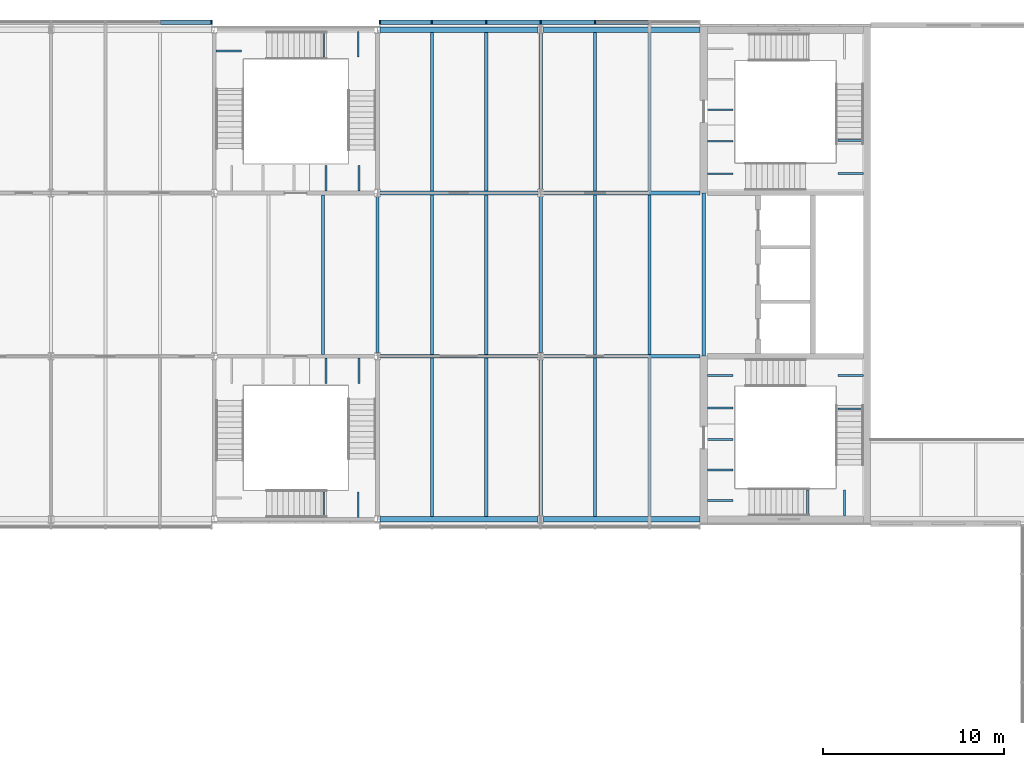
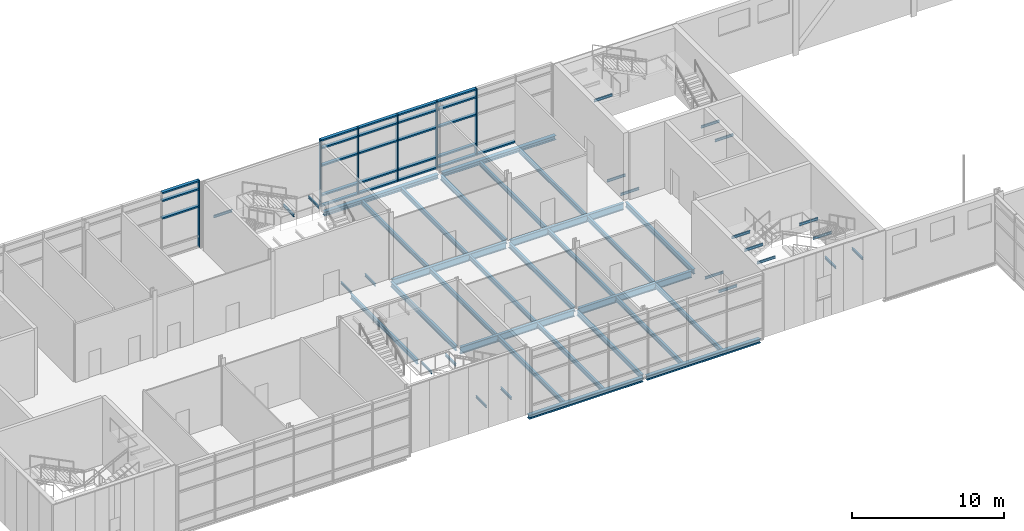
# One storey, part 15 of 56: 49 beams, 30 members, 2 elements without a shape of their own.
"""IFC4 building model written with IfcOpenShell, lengths in metres."""

from ifc_helpers import new_model, si_unit, direction, frame, origin, origin_2d, place, context, subcontext, project, spatial, rectangle, i_section, extrude, material, material_profile, profile_set, type_object, element, aggregate, save


model = new_model("IFC4")

# Units and contexts
model_context = context("Model", 3, precision=1e-05, world=origin(), true_north=direction((0.0, 1.0)))
body_context = subcontext(model_context, "Body", "Model", "MODEL_VIEW")
ifc_project = project(units=[si_unit("LENGTHUNIT", "METRE"), si_unit("AREAUNIT", "SQUARE_METRE"), si_unit("VOLUMEUNIT", "CUBIC_METRE"), si_unit("PLANEANGLEUNIT", "RADIAN"), si_unit("MASSUNIT", "GRAM", prefix="KILO")], contexts=[model_context])

# Site, building, storey
site_placement = place(None, origin())
site = spatial("IfcSite", under=ifc_project, at=site_placement, CompositionType="ELEMENT")
building_placement = place(site_placement, origin())
building = spatial("IfcBuilding", under=site, at=building_placement, Name="Azimuth Sports and Learning Centre", CompositionType="ELEMENT")
storey_placement = place(building_placement, frame((0.0, 0.0, 5.39990234375)))
storey = spatial("IfcBuildingStorey", under=building, at=storey_placement, Name="L01", CompositionType="ELEMENT", Elevation=5.39990234375)

# Beams
ifc_material_1 = material(Name="Steel S355", Category="steel")
ifc_material_profile_1 = material_profile(ifc_material_1, i_section(OverallWidth=0.10009765625, OverallDepth=0.199951171875, WebThickness=0.005615234375, FlangeThickness=0.008544921875, FilletRadius=0.011962890625, at=origin_2d()), Name="IPE 200")
ifc_profile_set_1 = profile_set([ifc_material_profile_1], Name="Steel S355")
beam_type_1 = type_object("IfcBeamType", Name="Beam IPE 200", PredefinedType="BEAM", material=ifc_profile_set_1)
for number, where, z_axis, x_axis, name in (
    (1, (54.199951171875, 96.1474609375, -0.2998046875), (1.0, 0.0, 0.0), (0.0, 1.0, 0.0), "Landing bracket W1 L01 8"),
    (2, (54.199951171875, 97.9423828125, -0.2998046875), (1.0, 0.0, 0.0), (0.0, 1.0, 0.0), "Landing bracket W1 L01 9"),
    (3, (62.800048828125, 96.1025390625, 1.5), (-1.0, 0.0, 0.0), (0.0, -1.0, 0.0), "Landing bracket W1 L01 10"),
    (4, (62.800048828125, 97.927490234375, 1.5), (-1.0, 0.0, 0.0), (0.0, -1.0, 0.0), "Landing bracket W1 L01 11"),
    (5, (59.715087890625, 90.199951171875, 3.300048828125), (0.0, 1.0, 0.0), (-1.0, 0.0, 0.0), "Landing bracket W1 L01 12"),
    (6, (61.764892578125, 90.199951171875, 3.300048828125), (0.0, 1.0, 0.0), (-1.0, 0.0, 0.0), "Landing bracket W1 L01 13"),
    (7, (54.199951171875, 91.050048828125, 5.10009765625), (1.0, 0.0, 0.0), (0.0, 1.0, 0.0), "Landing bracket W1 L01 14"),
    (8, (54.199951171875, 92.72998046875, 5.10009765625), (1.0, 0.0, 0.0), (0.0, 1.0, 0.0), "Landing bracket W1 L01 15"),
    (9, (54.199951171875, 94.409912109375, 5.10009765625), (1.0, 0.0, 0.0), (0.0, 1.0, 0.0), "Landing bracket W1 L01 16"),
    (10, (54.199951171875, 109.0576171875, -0.2998046875), (1.0, 0.0, 0.0), (0.0, 1.0, 0.0), "Landing bracket W2 L01 186"),
    (11, (54.199951171875, 110.8525390625, -0.2998046875), (1.0, 0.0, 0.0), (0.0, 1.0, 0.0), "Landing bracket W2 L01 187"),
    (12, (62.800048828125, 109.072509765625, 1.5), (-1.0, 0.0, 0.0), (0.0, -1.0, 0.0), "Landing bracket W2 L01 188"),
    (13, (62.800048828125, 110.8974609375, 1.5), (-1.0, 0.0, 0.0), (0.0, -1.0, 0.0), "Landing bracket W2 L01 189"),
    (14, (54.199951171875, 112.590087890625, 5.10009765625), (1.0, 0.0, 0.0), (0.0, 1.0, 0.0), "Landing bracket W2 L01 192"),
):
    element("IfcBeam", number, at=place(storey_placement, frame(where, z_axis=z_axis, x_axis=x_axis)), inside=storey, type_object=beam_type_1, Name=name, PredefinedType="BEAM", context=body_context, shape_type="SweptSolid", body=[
        extrude(i_section(OverallWidth=0.10009765625, OverallDepth=0.199951171875, WebThickness=0.005615234375, FlangeThickness=0.008544921875, FilletRadius=0.011962890625, at=origin_2d()), origin(), (0.0, 0.0, 1.0), 1.41015625),
    ])
for number, where, z_axis, x_axis, name in (
    (15, (33.159912109375, 98.89990234375, -0.2998046875), (0.0, -1.0, 0.0), (1.0, 0.0, 0.0), "Landing bracket WM1 L01 856"),
    (16, (34.97998046875, 98.89990234375, -0.2998046875), (0.0, -1.0, 0.0), (1.0, 0.0, 0.0), "Landing bracket WM1 L01 857"),
    (17, (33.0400390625, 90.10009765625, 1.5), (0.0, 1.0, 0.0), (-1.0, 0.0, 0.0), "Landing bracket WM1 L01 858"),
    (18, (34.93994140625, 90.10009765625, 1.5), (0.0, 1.0, 0.0), (-1.0, 0.0, 0.0), "Landing bracket WM1 L01 859"),
    (19, (33.159912109375, 108.10009765625, -0.2998046875), (0.0, 1.0, 0.0), (-1.0, 0.0, 0.0), "Landing bracket WM2 L01 890"),
    (20, (34.97998046875, 108.10009765625, -0.2998046875), (0.0, 1.0, 0.0), (-1.0, 0.0, 0.0), "Landing bracket WM2 L01 891"),
    (21, (33.0400390625, 116.89990234375, 1.5), (0.0, -1.0, 0.0), (1.0, 0.0, 0.0), "Landing bracket WM2 L01 892"),
    (22, (34.93994140625, 116.89990234375, 1.5), (0.0, -1.0, 0.0), (1.0, 0.0, 0.0), "Landing bracket WM2 L01 893"),
    (23, (27.10009765625, 115.827392578125, 3.300048828125), (1.0, 0.0, 0.0), (0.0, 1.0, 0.0), "Landing bracket WM2 L01 895"),
):
    element("IfcBeam", number, at=place(storey_placement, frame(where, z_axis=z_axis, x_axis=x_axis)), inside=storey, type_object=beam_type_1, Name=name, PredefinedType="BEAM", context=body_context, shape_type="SweptSolid", body=[
        extrude(i_section(OverallWidth=0.10009765625, OverallDepth=0.199951171875, WebThickness=0.005615234375, FlangeThickness=0.008544921875, FilletRadius=0.011962890625, at=origin_2d()), origin(), (0.0, 0.0, 1.0), 1.409912109375),
    ])
ifc_material_2 = material(Name="Steel S355", Category="steel")
ifc_material_profile_2 = material_profile(ifc_material_2, i_section(OverallWidth=0.179931640625, OverallDepth=0.39990234375, WebThickness=0.008544921875, FlangeThickness=0.013427734375, FilletRadius=0.02099609375, at=origin_2d()), Name="IPE 400")
ifc_profile_set_2 = profile_set([ifc_material_profile_2], Name="Steel S355")
beam_type_2 = type_object("IfcBeamType", Name="Beam IPE 400", PredefinedType="BEAM", material=ifc_profile_set_2)
for number, where, z_axis, x_axis, name in (
    (24, (36.0, 99.199951171875, -0.349853515625), (0.0, 1.0, 0.0), (-1.0, 0.0, 0.0), "Beam L01 WW 22"),
    (25, (45.0, 90.199951171875, -0.349853515625), (0.0, 1.0, 0.0), (-1.0, 0.0, 0.0), "Beam L01 WW 23"),
    (26, (45.0, 99.199951171875, -0.349853515625), (0.0, 1.0, 0.0), (-1.0, 0.0, 0.0), "Beam L01 WW 24"),
    (27, (45.0, 108.199951171875, -0.349853515625), (0.0, 1.0, 0.0), (-1.0, 0.0, 0.0), "Beam L01 WW 25"),
):
    element("IfcBeam", number, at=place(storey_placement, frame(where, z_axis=z_axis, x_axis=x_axis)), inside=storey, type_object=beam_type_2, Name=name, PredefinedType="BEAM", context=body_context, shape_type="SweptSolid", body=[
        extrude(i_section(OverallWidth=0.179931640625, OverallDepth=0.39990234375, WebThickness=0.008544921875, FlangeThickness=0.013427734375, FilletRadius=0.02099609375, at=origin_2d()), origin(), (0.0, 0.0, 1.0), 8.60009765625),
    ])
beam_1_placement = place(storey_placement, frame((54.0, 99.0, -0.349853515625), z_axis=(0.0, 1.0, 0.0), x_axis=(-1.0, 0.0, 0.0)))
element("IfcBeam", 28, at=beam_1_placement, inside=storey, type_object=beam_type_2, Name="Beam L01 WW 26", PredefinedType="BEAM", context=body_context, shape_type="SweptSolid", body=[
    extrude(i_section(OverallWidth=0.179931640625, OverallDepth=0.39990234375, WebThickness=0.008544921875, FlangeThickness=0.013427734375, FilletRadius=0.02099609375, at=origin_2d()), origin(), (0.0, 0.0, 1.0), 9.0),
])
ifc_material_3 = material(Name="Steel S355", Category="steel")
ifc_material_profile_3 = material_profile(ifc_material_3, i_section(OverallWidth=0.2099609375, OverallDepth=0.550048828125, WebThickness=0.010986328125, FlangeThickness=0.01708984375, FilletRadius=0.02392578125, at=origin_2d()), Name="IPE 550")
ifc_profile_set_3 = profile_set([ifc_material_profile_3], Name="Steel S355")
beam_type_3 = type_object("IfcBeamType", Name="Beam IPE 550", PredefinedType="BEAM", material=ifc_profile_set_3)
beam_2_placement = place(storey_placement, frame((36.14990234375, 99.0, -0.4248046875), z_axis=(1.0, 0.0, 0.0), x_axis=(0.0, 1.0, 0.0)))
element("IfcBeam", 29, at=beam_2_placement, inside=storey, type_object=beam_type_3, Name="Beam L01 WW 7", PredefinedType="BEAM", context=body_context, shape_type="SweptSolid", body=[
    extrude(i_section(OverallWidth=0.2099609375, OverallDepth=0.550048828125, WebThickness=0.010986328125, FlangeThickness=0.01708984375, FilletRadius=0.02392578125, at=origin_2d()), origin(), (0.0, 0.0, 1.0), 8.7001953125),
])
beam_3_placement = place(storey_placement, frame((45.14990234375, 99.0, -0.4248046875), z_axis=(1.0, 0.0, 0.0), x_axis=(0.0, 1.0, 0.0)))
element("IfcBeam", 30, at=beam_3_placement, inside=storey, type_object=beam_type_3, Name="Beam L01 WW 8", PredefinedType="BEAM", context=body_context, shape_type="SweptSolid", body=[
    extrude(i_section(OverallWidth=0.2099609375, OverallDepth=0.550048828125, WebThickness=0.010986328125, FlangeThickness=0.01708984375, FilletRadius=0.02392578125, at=origin_2d()), origin(), (0.0, 0.0, 1.0), 8.650146484375),
])
beam_4_placement = place(storey_placement, frame((36.14990234375, 108.0, -0.4248046875), z_axis=(1.0, 0.0, 0.0), x_axis=(0.0, 1.0, 0.0)))
element("IfcBeam", 31, at=beam_4_placement, inside=storey, type_object=beam_type_3, Name="Beam L01 WW 11", PredefinedType="BEAM", context=body_context, shape_type="SweptSolid", body=[
    extrude(i_section(OverallWidth=0.2099609375, OverallDepth=0.550048828125, WebThickness=0.010986328125, FlangeThickness=0.01708984375, FilletRadius=0.02392578125, at=origin_2d()), origin(), (0.0, 0.0, 1.0), 8.7001953125),
])
beam_5_placement = place(storey_placement, frame((45.14990234375, 108.0, -0.4248046875), z_axis=(1.0, 0.0, 0.0), x_axis=(0.0, 1.0, 0.0)))
element("IfcBeam", 32, at=beam_5_placement, inside=storey, type_object=beam_type_3, Name="Beam L01 WW 12", PredefinedType="BEAM", context=body_context, shape_type="SweptSolid", body=[
    extrude(i_section(OverallWidth=0.2099609375, OverallDepth=0.550048828125, WebThickness=0.010986328125, FlangeThickness=0.01708984375, FilletRadius=0.02392578125, at=origin_2d()), origin(), (0.0, 0.0, 1.0), 8.650146484375),
])
ifc_material_4 = material(Name="Steel S355", Category="steel")
ifc_material_profile_4 = material_profile(ifc_material_4, i_section(OverallWidth=0.300048828125, OverallDepth=0.330078125, WebThickness=0.009521484375, FlangeThickness=0.0166015625, FilletRadius=0.027099609375, at=origin_2d()), Name="HEA 340")
ifc_profile_set_4 = profile_set([ifc_material_profile_4], Name="Steel S355")
beam_type_4 = type_object("IfcBeamType", Name="Edge beam HEA 340", PredefinedType="SPANDREL", material=ifc_profile_set_4)
beam_6_placement = place(storey_placement, frame((36.14990234375, 90.0, -0.31494140625), z_axis=(1.0, 0.0, 0.0), x_axis=(0.0, 1.0, 0.0)))
element("IfcBeam", 33, at=beam_6_placement, inside=storey, type_object=beam_type_4, Name="Edge beam L01 WW 3", PredefinedType="SPANDREL", context=body_context, shape_type="SweptSolid", body=[
    extrude(i_section(OverallWidth=0.300048828125, OverallDepth=0.330078125, WebThickness=0.009521484375, FlangeThickness=0.0166015625, FilletRadius=0.027099609375, at=origin_2d()), origin(), (0.0, 0.0, 1.0), 8.7001953125),
])
beam_7_placement = place(storey_placement, frame((45.14990234375, 90.0, -0.31494140625), z_axis=(1.0, 0.0, 0.0), x_axis=(0.0, 1.0, 0.0)))
element("IfcBeam", 34, at=beam_7_placement, inside=storey, type_object=beam_type_4, Name="Edge beam L01 WW 4", PredefinedType="SPANDREL", context=body_context, shape_type="SweptSolid", body=[
    extrude(i_section(OverallWidth=0.300048828125, OverallDepth=0.330078125, WebThickness=0.009521484375, FlangeThickness=0.0166015625, FilletRadius=0.027099609375, at=origin_2d()), origin(), (0.0, 0.0, 1.0), 8.650146484375),
])
beam_8_placement = place(storey_placement, frame((36.14990234375, 117.0, -0.31494140625), z_axis=(1.0, 0.0, 0.0), x_axis=(0.0, 1.0, 0.0)))
element("IfcBeam", 35, at=beam_8_placement, inside=storey, type_object=beam_type_4, Name="Edge beam L01 WW 15", PredefinedType="SPANDREL", context=body_context, shape_type="SweptSolid", body=[
    extrude(i_section(OverallWidth=0.300048828125, OverallDepth=0.330078125, WebThickness=0.009521484375, FlangeThickness=0.0166015625, FilletRadius=0.027099609375, at=origin_2d()), origin(), (0.0, 0.0, 1.0), 8.7001953125),
])
beam_9_placement = place(storey_placement, frame((45.14990234375, 117.0, -0.31494140625), z_axis=(1.0, 0.0, 0.0), x_axis=(0.0, 1.0, 0.0)))
element("IfcBeam", 36, at=beam_9_placement, inside=storey, type_object=beam_type_4, Name="Edge beam L01 WW 16", PredefinedType="SPANDREL", context=body_context, shape_type="SweptSolid", body=[
    extrude(i_section(OverallWidth=0.300048828125, OverallDepth=0.330078125, WebThickness=0.009521484375, FlangeThickness=0.0166015625, FilletRadius=0.027099609375, at=origin_2d()), origin(), (0.0, 0.0, 1.0), 8.650146484375),
])
ifc_material_5 = material(Name="Steel S355", Category="steel")
ifc_material_profile_5 = material_profile(ifc_material_5, i_section(OverallWidth=0.169921875, OverallDepth=0.360107421875, WebThickness=0.008056640625, FlangeThickness=0.0126953125, FilletRadius=0.01806640625, at=origin_2d()), Name="IPE 360")
ifc_profile_set_5 = profile_set([ifc_material_profile_5], Name="Steel S355")
beam_type_5 = type_object("IfcBeamType", Name="Joist IPE 360", PredefinedType="JOIST", material=ifc_profile_set_5)
beam_10_placement = place(storey_placement, frame((33.0, 99.10009765625, -0.329833984375), z_axis=(0.0, 1.0, 0.0), x_axis=(-1.0, 0.0, 0.0)))
element("IfcBeam", 37, at=beam_10_placement, inside=storey, type_object=beam_type_5, Name="Joist L01 WW 41", PredefinedType="JOIST", context=body_context, shape_type="SweptSolid", body=[
    extrude(i_section(OverallWidth=0.169921875, OverallDepth=0.360107421875, WebThickness=0.008056640625, FlangeThickness=0.0126953125, FilletRadius=0.01806640625, at=origin_2d()), origin(), (0.0, 0.0, 1.0), 8.7998046875),
])
beam_11_placement = place(storey_placement, frame((39.0, 90.14990234375, -0.329833984375), z_axis=(0.0, 1.0, 0.0), x_axis=(-1.0, 0.0, 0.0)))
element("IfcBeam", 38, at=beam_11_placement, inside=storey, type_object=beam_type_5, Name="Joist L01 WW 42", PredefinedType="JOIST", context=body_context, shape_type="SweptSolid", body=[
    extrude(i_section(OverallWidth=0.169921875, OverallDepth=0.360107421875, WebThickness=0.008056640625, FlangeThickness=0.0126953125, FilletRadius=0.01806640625, at=origin_2d()), origin(), (0.0, 0.0, 1.0), 8.7451171875),
])
beam_12_placement = place(storey_placement, frame((39.0, 99.10498046875, -0.329833984375), z_axis=(0.0, 1.0, 0.0), x_axis=(-1.0, 0.0, 0.0)))
element("IfcBeam", 39, at=beam_12_placement, inside=storey, type_object=beam_type_5, Name="Joist L01 WW 43", PredefinedType="JOIST", context=body_context, shape_type="SweptSolid", body=[
    extrude(i_section(OverallWidth=0.169921875, OverallDepth=0.360107421875, WebThickness=0.008056640625, FlangeThickness=0.0126953125, FilletRadius=0.01806640625, at=origin_2d()), origin(), (0.0, 0.0, 1.0), 8.7900390625),
])
for number, where, z_axis, x_axis, name in (
    (40, (39.0, 108.10498046875, -0.329833984375), (0.0, 1.0, 0.0), (-1.0, 0.0, 0.0), "Joist L01 WW 44"),
    (41, (42.0, 90.14990234375, -0.329833984375), (0.0, 1.0, 0.0), (-1.0, 0.0, 0.0), "Joist L01 WW 45"),
):
    element("IfcBeam", number, at=place(storey_placement, frame(where, z_axis=z_axis, x_axis=x_axis)), inside=storey, type_object=beam_type_5, Name=name, PredefinedType="JOIST", context=body_context, shape_type="SweptSolid", body=[
        extrude(i_section(OverallWidth=0.169921875, OverallDepth=0.360107421875, WebThickness=0.008056640625, FlangeThickness=0.0126953125, FilletRadius=0.01806640625, at=origin_2d()), origin(), (0.0, 0.0, 1.0), 8.7451171875),
    ])
beam_13_placement = place(storey_placement, frame((42.0, 99.10498046875, -0.329833984375), z_axis=(0.0, 1.0, 0.0), x_axis=(-1.0, 0.0, 0.0)))
element("IfcBeam", 42, at=beam_13_placement, inside=storey, type_object=beam_type_5, Name="Joist L01 WW 46", PredefinedType="JOIST", context=body_context, shape_type="SweptSolid", body=[
    extrude(i_section(OverallWidth=0.169921875, OverallDepth=0.360107421875, WebThickness=0.008056640625, FlangeThickness=0.0126953125, FilletRadius=0.01806640625, at=origin_2d()), origin(), (0.0, 0.0, 1.0), 8.7900390625),
])
for number, where, z_axis, x_axis, name in (
    (43, (42.0, 108.10498046875, -0.329833984375), (0.0, 1.0, 0.0), (-1.0, 0.0, 0.0), "Joist L01 WW 47"),
    (44, (48.0, 90.14990234375, -0.329833984375), (0.0, 1.0, 0.0), (-1.0, 0.0, 0.0), "Joist L01 WW 48"),
):
    element("IfcBeam", number, at=place(storey_placement, frame(where, z_axis=z_axis, x_axis=x_axis)), inside=storey, type_object=beam_type_5, Name=name, PredefinedType="JOIST", context=body_context, shape_type="SweptSolid", body=[
        extrude(i_section(OverallWidth=0.169921875, OverallDepth=0.360107421875, WebThickness=0.008056640625, FlangeThickness=0.0126953125, FilletRadius=0.01806640625, at=origin_2d()), origin(), (0.0, 0.0, 1.0), 8.7451171875),
    ])
beam_14_placement = place(storey_placement, frame((48.0, 99.10498046875, -0.329833984375), z_axis=(0.0, 1.0, 0.0), x_axis=(-1.0, 0.0, 0.0)))
element("IfcBeam", 45, at=beam_14_placement, inside=storey, type_object=beam_type_5, Name="Joist L01 WW 49", PredefinedType="JOIST", context=body_context, shape_type="SweptSolid", body=[
    extrude(i_section(OverallWidth=0.169921875, OverallDepth=0.360107421875, WebThickness=0.008056640625, FlangeThickness=0.0126953125, FilletRadius=0.01806640625, at=origin_2d()), origin(), (0.0, 0.0, 1.0), 8.7900390625),
])
for number, where, z_axis, x_axis, name in (
    (46, (48.0, 108.10498046875, -0.329833984375), (0.0, 1.0, 0.0), (-1.0, 0.0, 0.0), "Joist L01 WW 50"),
    (47, (51.0, 90.14990234375, -0.329833984375), (0.0, 1.0, 0.0), (-1.0, 0.0, 0.0), "Joist L01 WW 51"),
):
    element("IfcBeam", number, at=place(storey_placement, frame(where, z_axis=z_axis, x_axis=x_axis)), inside=storey, type_object=beam_type_5, Name=name, PredefinedType="JOIST", context=body_context, shape_type="SweptSolid", body=[
        extrude(i_section(OverallWidth=0.169921875, OverallDepth=0.360107421875, WebThickness=0.008056640625, FlangeThickness=0.0126953125, FilletRadius=0.01806640625, at=origin_2d()), origin(), (0.0, 0.0, 1.0), 8.7451171875),
    ])
beam_15_placement = place(storey_placement, frame((51.0, 99.10498046875, -0.329833984375), z_axis=(0.0, 1.0, 0.0), x_axis=(-1.0, 0.0, 0.0)))
element("IfcBeam", 48, at=beam_15_placement, inside=storey, type_object=beam_type_5, Name="Joist L01 WW 52", PredefinedType="JOIST", context=body_context, shape_type="SweptSolid", body=[
    extrude(i_section(OverallWidth=0.169921875, OverallDepth=0.360107421875, WebThickness=0.008056640625, FlangeThickness=0.0126953125, FilletRadius=0.01806640625, at=origin_2d()), origin(), (0.0, 0.0, 1.0), 8.7900390625),
])
beam_16_placement = place(storey_placement, frame((51.0, 108.10498046875, -0.329833984375), z_axis=(0.0, 1.0, 0.0), x_axis=(-1.0, 0.0, 0.0)))
element("IfcBeam", 49, at=beam_16_placement, inside=storey, type_object=beam_type_5, Name="Joist L01 WW 53", PredefinedType="JOIST", context=body_context, shape_type="SweptSolid", body=[
    extrude(i_section(OverallWidth=0.169921875, OverallDepth=0.360107421875, WebThickness=0.008056640625, FlangeThickness=0.0126953125, FilletRadius=0.01806640625, at=origin_2d()), origin(), (0.0, 0.0, 1.0), 8.7451171875),
])

# Curtain wall, members
ifc_material_6 = material(Name="Aluminium and glass", Category="aluminium")
curtain_wall_type = type_object("IfcCurtainWallType", Name="Curtain wall podium wing 240", PredefinedType="NOTDEFINED", material=ifc_material_6)
curtain_wall_1_placement = place(storey_placement, origin())
curtain_wall_1 = element("IfcCurtainWall", 50, at=curtain_wall_1_placement, inside=storey, type_object=curtain_wall_type, Name="Curtain wall CW01-013", PredefinedType="NOTDEFINED")
ifc_material_7 = material(Name="Aluminium", Category="aluminium")
ifc_material_profile_6 = material_profile(ifc_material_7, rectangle(XDim=0.239990234375, YDim=0.080078125, at=origin_2d()), Name="Mullion 80x240")
ifc_profile_set_6 = profile_set([ifc_material_profile_6], Name="Aluminium")
member_type_1 = type_object("IfcMemberType", Name="Mullion 80x240", PredefinedType="MULLION", material=ifc_profile_set_6)
member_1_placement = place(storey_placement, frame((48.0, 117.419921875, 0.0), z_axis=(0.0, 0.0, 1.0), x_axis=(0.0, -1.0, 0.0)))
member_1 = element("IfcMember", 51, at=member_1_placement, type_object=member_type_1, Name="CW01-013 mullion 3", PredefinedType="MULLION", context=body_context, shape_type="SweptSolid", body=[
    extrude(rectangle(XDim=0.239990234375, YDim=0.080078125, at=origin_2d()), origin(), (0.0, 0.0, 1.0), 5.400146484375),
])
member_2_placement = place(storey_placement, frame((45.0, 117.419921875, 0.0), z_axis=(0.0, 0.0, 1.0), x_axis=(0.0, -1.0, 0.0)))
member_2 = element("IfcMember", 52, at=member_2_placement, type_object=member_type_1, Name="CW01-013 mullion 4", PredefinedType="MULLION", context=body_context, shape_type="SweptSolid", body=[
    extrude(rectangle(XDim=0.239990234375, YDim=0.080078125, at=origin_2d()), origin(), (0.0, 0.0, 1.0), 5.400146484375),
])
member_3_placement = place(storey_placement, frame((42.0, 117.419921875, 0.0), z_axis=(0.0, 0.0, 1.0), x_axis=(0.0, -1.0, 0.0)))
member_3 = element("IfcMember", 53, at=member_3_placement, type_object=member_type_1, Name="CW01-013 mullion 5", PredefinedType="MULLION", context=body_context, shape_type="SweptSolid", body=[
    extrude(rectangle(XDim=0.239990234375, YDim=0.080078125, at=origin_2d()), origin(), (0.0, 0.0, 1.0), 5.400146484375),
])
member_4_placement = place(storey_placement, frame((39.0, 117.419921875, 0.0), z_axis=(0.0, 0.0, 1.0), x_axis=(0.0, -1.0, 0.0)))
member_4 = element("IfcMember", 54, at=member_4_placement, type_object=member_type_1, Name="CW01-013 mullion 6", PredefinedType="MULLION", context=body_context, shape_type="SweptSolid", body=[
    extrude(rectangle(XDim=0.239990234375, YDim=0.080078125, at=origin_2d()), origin(), (0.0, 0.0, 1.0), 5.400146484375),
])
member_5_placement = place(storey_placement, frame((36.139892578125, 117.419921875, 0.0), z_axis=(0.0, 0.0, 1.0), x_axis=(0.0, -1.0, 0.0)))
member_5 = element("IfcMember", 55, at=member_5_placement, type_object=member_type_1, Name="CW01-013 mullion 7", PredefinedType="MULLION", context=body_context, shape_type="SweptSolid", body=[
    extrude(rectangle(XDim=0.239990234375, YDim=0.080078125, at=origin_2d()), origin(), (0.0, 0.0, 1.0), 5.400146484375),
])

# Curtain wall, member
curtain_wall_2_placement = place(storey_placement, origin())
curtain_wall_2 = element("IfcCurtainWall", 56, at=curtain_wall_2_placement, inside=storey, type_object=curtain_wall_type, Name="Curtain wall CW01-014", PredefinedType="NOTDEFINED")
member_6_placement = place(storey_placement, frame((26.860107421875, 117.419921875, 0.0), z_axis=(0.0, 0.0, 1.0), x_axis=(0.0, -1.0, 0.0)))
member_6 = element("IfcMember", 57, at=member_6_placement, type_object=member_type_1, Name="CW01-014 mullion 1", PredefinedType="MULLION", context=body_context, shape_type="SweptSolid", body=[
    extrude(rectangle(XDim=0.239990234375, YDim=0.080078125, at=origin_2d()), origin(), (0.0, 0.0, 1.0), 5.400146484375),
])

# Member
ifc_material_8 = material(Name="Aluminium", Category="aluminium")
ifc_material_profile_7 = material_profile(ifc_material_8, rectangle(XDim=0.239990234375, YDim=0.1201171875, at=origin_2d()), Name="Transom 120x240")
ifc_profile_set_7 = profile_set([ifc_material_profile_7], Name="Aluminium")
member_type_2 = type_object("IfcMemberType", Name="Transom 120x240", PredefinedType="USERDEFINED", material=ifc_profile_set_7)
member_7_placement = place(storey_placement, frame((50.9599609375, 117.419921875, 0.06005859375), z_axis=(-1.0, 0.0, 0.0), x_axis=(0.0, -1.0, 0.0)))
member_7 = element("IfcMember", 58, at=member_7_placement, type_object=member_type_2, Name="CW01-013 transom 2.1", ObjectType="TRANSOM", PredefinedType="USERDEFINED", context=body_context, shape_type="SweptSolid", body=[
    extrude(rectangle(XDim=0.239990234375, YDim=0.1201171875, at=origin_2d()), origin(), (0.0, 0.0, 1.0), 2.919921875),
])

member_8_placement = place(storey_placement, frame((47.9599609375, 117.419921875, 0.06005859375), z_axis=(-1.0, 0.0, 0.0), x_axis=(0.0, -1.0, 0.0)))
member_8 = element("IfcMember", 59, at=member_8_placement, type_object=member_type_2, Name="CW01-013 transom 3.1", ObjectType="TRANSOM", PredefinedType="USERDEFINED", context=body_context, shape_type="SweptSolid", body=[
    extrude(rectangle(XDim=0.239990234375, YDim=0.1201171875, at=origin_2d()), origin(), (0.0, 0.0, 1.0), 2.919921875),
])

member_9_placement = place(storey_placement, frame((47.9599609375, 117.419921875, 0.900146484375), z_axis=(-1.0, 0.0, 0.0), x_axis=(0.0, -1.0, 0.0)))
member_9 = element("IfcMember", 60, at=member_9_placement, type_object=member_type_2, Name="CW01-013 transom 3.2", ObjectType="TRANSOM", PredefinedType="USERDEFINED", context=body_context, shape_type="SweptSolid", body=[
    extrude(rectangle(XDim=0.239990234375, YDim=0.1201171875, at=origin_2d()), origin(), (0.0, 0.0, 1.0), 2.919921875),
])

member_10_placement = place(storey_placement, frame((47.9599609375, 117.419921875, 3.300048828125), z_axis=(-1.0, 0.0, 0.0), x_axis=(0.0, -1.0, 0.0)))
member_10 = element("IfcMember", 61, at=member_10_placement, type_object=member_type_2, Name="CW01-013 transom 3.3", ObjectType="TRANSOM", PredefinedType="USERDEFINED", context=body_context, shape_type="SweptSolid", body=[
    extrude(rectangle(XDim=0.239990234375, YDim=0.1201171875, at=origin_2d()), origin(), (0.0, 0.0, 1.0), 2.919921875),
])

member_11_placement = place(storey_placement, frame((47.9599609375, 117.419921875, 4.7001953125), z_axis=(-1.0, 0.0, 0.0), x_axis=(0.0, -1.0, 0.0)))
member_11 = element("IfcMember", 62, at=member_11_placement, type_object=member_type_2, Name="CW01-013 transom 3.4", ObjectType="TRANSOM", PredefinedType="USERDEFINED", context=body_context, shape_type="SweptSolid", body=[
    extrude(rectangle(XDim=0.239990234375, YDim=0.1201171875, at=origin_2d()), origin(), (0.0, 0.0, 1.0), 2.919921875),
])

member_12_placement = place(storey_placement, frame((47.9599609375, 117.419921875, 5.340087890625), z_axis=(-1.0, 0.0, 0.0), x_axis=(0.0, -1.0, 0.0)))
member_12 = element("IfcMember", 63, at=member_12_placement, type_object=member_type_2, Name="CW01-013 transom 3.5", ObjectType="TRANSOM", PredefinedType="USERDEFINED", context=body_context, shape_type="SweptSolid", body=[
    extrude(rectangle(XDim=0.239990234375, YDim=0.1201171875, at=origin_2d()), origin(), (0.0, 0.0, 1.0), 2.919921875),
])

member_13_placement = place(storey_placement, frame((44.9599609375, 117.419921875, 0.06005859375), z_axis=(-1.0, 0.0, 0.0), x_axis=(0.0, -1.0, 0.0)))
member_13 = element("IfcMember", 64, at=member_13_placement, type_object=member_type_2, Name="CW01-013 transom 4.1", ObjectType="TRANSOM", PredefinedType="USERDEFINED", context=body_context, shape_type="SweptSolid", body=[
    extrude(rectangle(XDim=0.239990234375, YDim=0.1201171875, at=origin_2d()), origin(), (0.0, 0.0, 1.0), 2.919921875),
])

member_14_placement = place(storey_placement, frame((44.9599609375, 117.419921875, 0.900146484375), z_axis=(-1.0, 0.0, 0.0), x_axis=(0.0, -1.0, 0.0)))
member_14 = element("IfcMember", 65, at=member_14_placement, type_object=member_type_2, Name="CW01-013 transom 4.2", ObjectType="TRANSOM", PredefinedType="USERDEFINED", context=body_context, shape_type="SweptSolid", body=[
    extrude(rectangle(XDim=0.239990234375, YDim=0.1201171875, at=origin_2d()), origin(), (0.0, 0.0, 1.0), 2.919921875),
])

member_15_placement = place(storey_placement, frame((44.9599609375, 117.419921875, 3.300048828125), z_axis=(-1.0, 0.0, 0.0), x_axis=(0.0, -1.0, 0.0)))
member_15 = element("IfcMember", 66, at=member_15_placement, type_object=member_type_2, Name="CW01-013 transom 4.3", ObjectType="TRANSOM", PredefinedType="USERDEFINED", context=body_context, shape_type="SweptSolid", body=[
    extrude(rectangle(XDim=0.239990234375, YDim=0.1201171875, at=origin_2d()), origin(), (0.0, 0.0, 1.0), 2.919921875),
])

member_16_placement = place(storey_placement, frame((44.9599609375, 117.419921875, 4.7001953125), z_axis=(-1.0, 0.0, 0.0), x_axis=(0.0, -1.0, 0.0)))
member_16 = element("IfcMember", 67, at=member_16_placement, type_object=member_type_2, Name="CW01-013 transom 4.4", ObjectType="TRANSOM", PredefinedType="USERDEFINED", context=body_context, shape_type="SweptSolid", body=[
    extrude(rectangle(XDim=0.239990234375, YDim=0.1201171875, at=origin_2d()), origin(), (0.0, 0.0, 1.0), 2.919921875),
])

member_17_placement = place(storey_placement, frame((44.9599609375, 117.419921875, 5.340087890625), z_axis=(-1.0, 0.0, 0.0), x_axis=(0.0, -1.0, 0.0)))
member_17 = element("IfcMember", 68, at=member_17_placement, type_object=member_type_2, Name="CW01-013 transom 4.5", ObjectType="TRANSOM", PredefinedType="USERDEFINED", context=body_context, shape_type="SweptSolid", body=[
    extrude(rectangle(XDim=0.239990234375, YDim=0.1201171875, at=origin_2d()), origin(), (0.0, 0.0, 1.0), 2.919921875),
])

member_18_placement = place(storey_placement, frame((41.9599609375, 117.419921875, 0.06005859375), z_axis=(-1.0, 0.0, 0.0), x_axis=(0.0, -1.0, 0.0)))
member_18 = element("IfcMember", 69, at=member_18_placement, type_object=member_type_2, Name="CW01-013 transom 5.1", ObjectType="TRANSOM", PredefinedType="USERDEFINED", context=body_context, shape_type="SweptSolid", body=[
    extrude(rectangle(XDim=0.239990234375, YDim=0.1201171875, at=origin_2d()), origin(), (0.0, 0.0, 1.0), 2.919921875),
])

member_19_placement = place(storey_placement, frame((41.9599609375, 117.419921875, 0.900146484375), z_axis=(-1.0, 0.0, 0.0), x_axis=(0.0, -1.0, 0.0)))
member_19 = element("IfcMember", 70, at=member_19_placement, type_object=member_type_2, Name="CW01-013 transom 5.2", ObjectType="TRANSOM", PredefinedType="USERDEFINED", context=body_context, shape_type="SweptSolid", body=[
    extrude(rectangle(XDim=0.239990234375, YDim=0.1201171875, at=origin_2d()), origin(), (0.0, 0.0, 1.0), 2.919921875),
])

member_20_placement = place(storey_placement, frame((41.9599609375, 117.419921875, 3.300048828125), z_axis=(-1.0, 0.0, 0.0), x_axis=(0.0, -1.0, 0.0)))
member_20 = element("IfcMember", 71, at=member_20_placement, type_object=member_type_2, Name="CW01-013 transom 5.3", ObjectType="TRANSOM", PredefinedType="USERDEFINED", context=body_context, shape_type="SweptSolid", body=[
    extrude(rectangle(XDim=0.239990234375, YDim=0.1201171875, at=origin_2d()), origin(), (0.0, 0.0, 1.0), 2.919921875),
])

member_21_placement = place(storey_placement, frame((41.9599609375, 117.419921875, 4.7001953125), z_axis=(-1.0, 0.0, 0.0), x_axis=(0.0, -1.0, 0.0)))
member_21 = element("IfcMember", 72, at=member_21_placement, type_object=member_type_2, Name="CW01-013 transom 5.4", ObjectType="TRANSOM", PredefinedType="USERDEFINED", context=body_context, shape_type="SweptSolid", body=[
    extrude(rectangle(XDim=0.239990234375, YDim=0.1201171875, at=origin_2d()), origin(), (0.0, 0.0, 1.0), 2.919921875),
])

member_22_placement = place(storey_placement, frame((41.9599609375, 117.419921875, 5.340087890625), z_axis=(-1.0, 0.0, 0.0), x_axis=(0.0, -1.0, 0.0)))
member_22 = element("IfcMember", 73, at=member_22_placement, type_object=member_type_2, Name="CW01-013 transom 5.5", ObjectType="TRANSOM", PredefinedType="USERDEFINED", context=body_context, shape_type="SweptSolid", body=[
    extrude(rectangle(XDim=0.239990234375, YDim=0.1201171875, at=origin_2d()), origin(), (0.0, 0.0, 1.0), 2.919921875),
])

member_23_placement = place(storey_placement, frame((38.9599609375, 117.419921875, 0.06005859375), z_axis=(-1.0, 0.0, 0.0), x_axis=(0.0, -1.0, 0.0)))
member_23 = element("IfcMember", 74, at=member_23_placement, type_object=member_type_2, Name="CW01-013 transom 6.1", ObjectType="TRANSOM", PredefinedType="USERDEFINED", context=body_context, shape_type="SweptSolid", body=[
    extrude(rectangle(XDim=0.239990234375, YDim=0.1201171875, at=origin_2d()), origin(), (0.0, 0.0, 1.0), 2.780029296875),
])

member_24_placement = place(storey_placement, frame((38.9599609375, 117.419921875, 0.900146484375), z_axis=(-1.0, 0.0, 0.0), x_axis=(0.0, -1.0, 0.0)))
member_24 = element("IfcMember", 75, at=member_24_placement, type_object=member_type_2, Name="CW01-013 transom 6.2", ObjectType="TRANSOM", PredefinedType="USERDEFINED", context=body_context, shape_type="SweptSolid", body=[
    extrude(rectangle(XDim=0.239990234375, YDim=0.1201171875, at=origin_2d()), origin(), (0.0, 0.0, 1.0), 2.780029296875),
])

member_25_placement = place(storey_placement, frame((38.9599609375, 117.419921875, 3.300048828125), z_axis=(-1.0, 0.0, 0.0), x_axis=(0.0, -1.0, 0.0)))
member_25 = element("IfcMember", 76, at=member_25_placement, type_object=member_type_2, Name="CW01-013 transom 6.3", ObjectType="TRANSOM", PredefinedType="USERDEFINED", context=body_context, shape_type="SweptSolid", body=[
    extrude(rectangle(XDim=0.239990234375, YDim=0.1201171875, at=origin_2d()), origin(), (0.0, 0.0, 1.0), 2.780029296875),
])

member_26_placement = place(storey_placement, frame((38.9599609375, 117.419921875, 4.7001953125), z_axis=(-1.0, 0.0, 0.0), x_axis=(0.0, -1.0, 0.0)))
member_26 = element("IfcMember", 77, at=member_26_placement, type_object=member_type_2, Name="CW01-013 transom 6.4", ObjectType="TRANSOM", PredefinedType="USERDEFINED", context=body_context, shape_type="SweptSolid", body=[
    extrude(rectangle(XDim=0.239990234375, YDim=0.1201171875, at=origin_2d()), origin(), (0.0, 0.0, 1.0), 2.780029296875),
])

member_27_placement = place(storey_placement, frame((38.9599609375, 117.419921875, 5.340087890625), z_axis=(-1.0, 0.0, 0.0), x_axis=(0.0, -1.0, 0.0)))
member_27 = element("IfcMember", 78, at=member_27_placement, type_object=member_type_2, Name="CW01-013 transom 6.5", ObjectType="TRANSOM", PredefinedType="USERDEFINED", context=body_context, shape_type="SweptSolid", body=[
    extrude(rectangle(XDim=0.239990234375, YDim=0.1201171875, at=origin_2d()), origin(), (0.0, 0.0, 1.0), 2.780029296875),
])

aggregate(curtain_wall_1, [member_1, member_2, member_3, member_4, member_5, member_7, member_8, member_9, member_10, member_11, member_12, member_13, member_14, member_15, member_16, member_17, member_18, member_19, member_20, member_21, member_22, member_23, member_24, member_25, member_26, member_27])

member_28_placement = place(storey_placement, frame((26.820068359375, 117.419921875, 3.300048828125), z_axis=(-1.0, 0.0, 0.0), x_axis=(0.0, -1.0, 0.0)))
member_28 = element("IfcMember", 79, at=member_28_placement, type_object=member_type_2, Name="CW01-014 transom 1.3", ObjectType="TRANSOM", PredefinedType="USERDEFINED", context=body_context, shape_type="SweptSolid", body=[
    extrude(rectangle(XDim=0.239990234375, YDim=0.1201171875, at=origin_2d()), origin(), (0.0, 0.0, 1.0), 2.780029296875),
])

member_29_placement = place(storey_placement, frame((26.820068359375, 117.419921875, 4.7001953125), z_axis=(-1.0, 0.0, 0.0), x_axis=(0.0, -1.0, 0.0)))
member_29 = element("IfcMember", 80, at=member_29_placement, type_object=member_type_2, Name="CW01-014 transom 1.4", ObjectType="TRANSOM", PredefinedType="USERDEFINED", context=body_context, shape_type="SweptSolid", body=[
    extrude(rectangle(XDim=0.239990234375, YDim=0.1201171875, at=origin_2d()), origin(), (0.0, 0.0, 1.0), 2.780029296875),
])

member_30_placement = place(storey_placement, frame((26.820068359375, 117.419921875, 5.340087890625), z_axis=(-1.0, 0.0, 0.0), x_axis=(0.0, -1.0, 0.0)))
member_30 = element("IfcMember", 81, at=member_30_placement, type_object=member_type_2, Name="CW01-014 transom 1.5", ObjectType="TRANSOM", PredefinedType="USERDEFINED", context=body_context, shape_type="SweptSolid", body=[
    extrude(rectangle(XDim=0.239990234375, YDim=0.1201171875, at=origin_2d()), origin(), (0.0, 0.0, 1.0), 2.780029296875),
])

aggregate(curtain_wall_2, [member_6, member_28, member_29, member_30])

save(model, "model.ifc")
